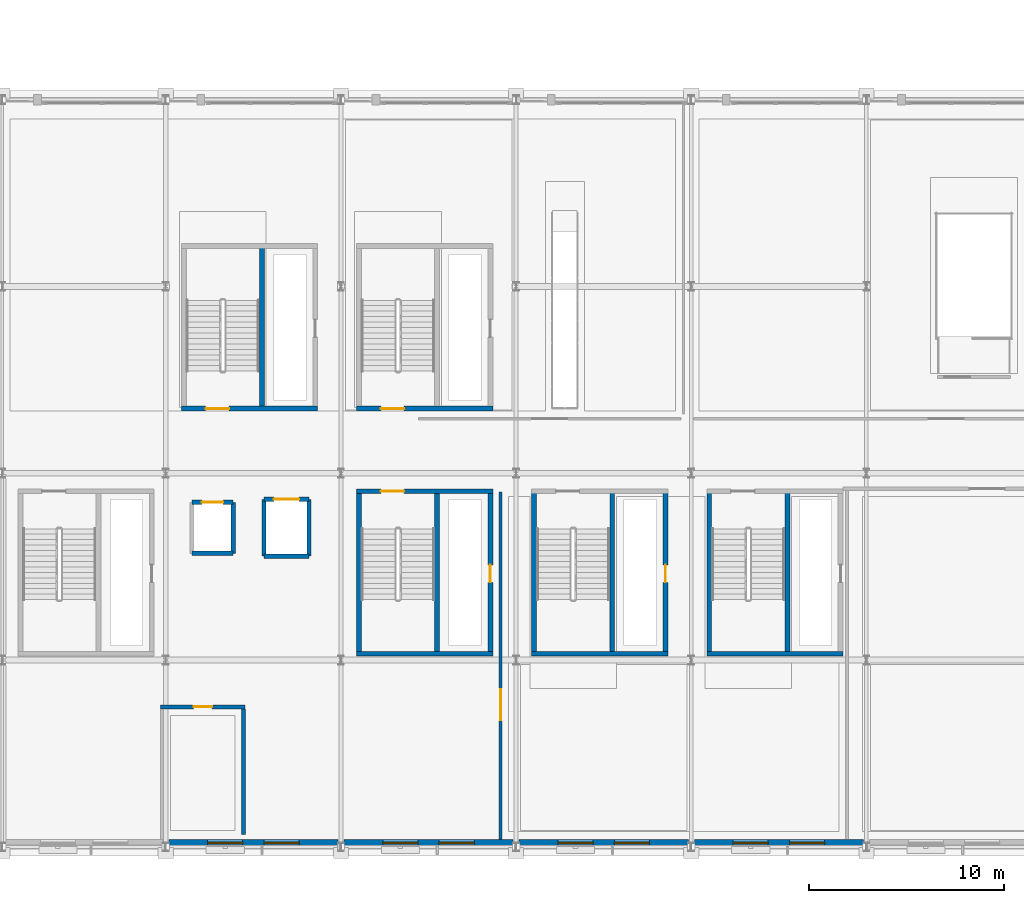
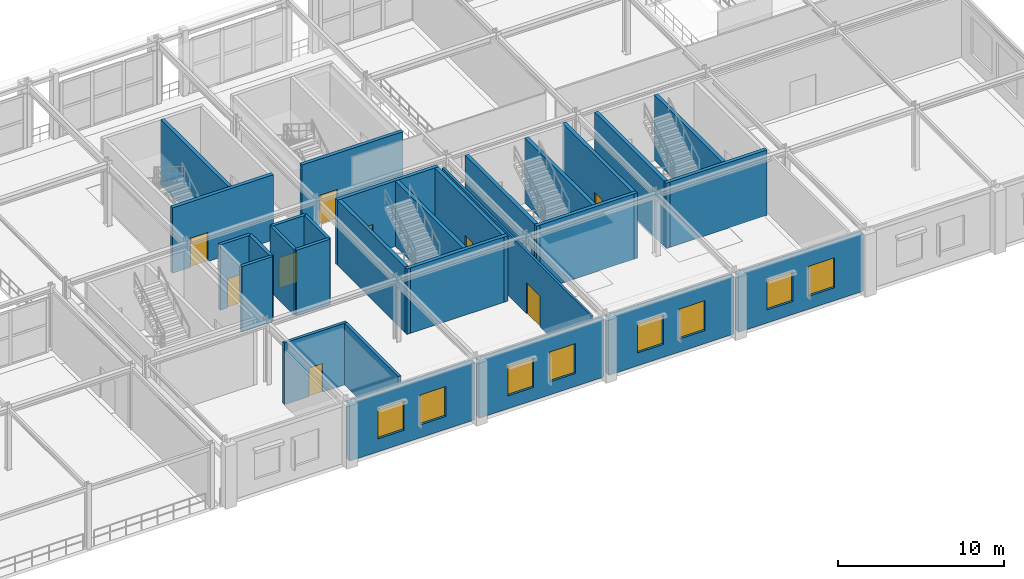
# One storey, part 78 of 125: 29 walls, 9 doors, 8 windows, 17 openings.
"""IFC4 building model written with IfcOpenShell, lengths in metres."""

from ifc_helpers import new_model, si_unit, direction, frame, frame_2d, origin, place, context, subcontext, project, spatial, rectangle, extrude, material, layer, layer_set, type_object, element, fill, save


model = new_model("IFC4")

# Units and contexts
model_context = context("Model", 3, precision=1e-05, world=origin(), true_north=direction((0.0, 1.0)))
body_context = subcontext(model_context, "Body", "Model", "MODEL_VIEW")
ifc_project = project(units=[si_unit("LENGTHUNIT", "METRE"), si_unit("AREAUNIT", "SQUARE_METRE"), si_unit("VOLUMEUNIT", "CUBIC_METRE"), si_unit("PLANEANGLEUNIT", "RADIAN"), si_unit("MASSUNIT", "GRAM", prefix="KILO")], contexts=[model_context])

# Site, building, storey
site_placement = place(None, origin())
site = spatial("IfcSite", under=ifc_project, at=site_placement, CompositionType="ELEMENT")
building_placement = place(site_placement, origin())
building = spatial("IfcBuilding", under=site, at=building_placement, Name="Myrtia Square Station", CompositionType="ELEMENT")
storey_placement = place(building_placement, frame((0.0, 0.0, 6.0)))
storey = spatial("IfcBuildingStorey", under=building, at=storey_placement, Name="L01", CompositionType="ELEMENT", Elevation=6.0)

# Wall
ifc_material_1 = material(Name="Concrete C35/45", Category="concrete")
ifc_layer_1 = layer(ifc_material_1, 0.25, Name="Concrete C35/45")
ifc_layer_set_1 = layer_set([ifc_layer_1], Name="Concrete C35/45")
wall_type_1 = type_object("IfcWallType", Name="WL-CORE-250", PredefinedType="SHEAR", material=ifc_layer_set_1)
wall_1_placement = place(storey_placement, frame((135.800048828125, 9.925048828125, 0.0), z_axis=(0.0, 0.0, 1.0), x_axis=(1.0, 0.0, 0.0)))
element("IfcWall", 1, at=wall_1_placement, inside=storey, type_object=wall_type_1, Name="Core K6 shear wall L01 S", PredefinedType="SHEAR", context=body_context, shape_type="SweptSolid", body=[
    extrude(rectangle(XDim=7.0, YDim=0.25, at=frame_2d((3.5, 0.0))), origin(), (0.0, 0.0, 1.0), 4.800048828125),
])

# Wall, opening, door
wall_2_placement = place(storey_placement, frame((135.800048828125, 18.27490234375, 0.0), z_axis=(0.0, 0.0, 1.0), x_axis=(1.0, 0.0, 0.0)))
wall_2 = element("IfcWall", 2, at=wall_2_placement, inside=storey, type_object=wall_type_1, Name="Core K6 shear wall L01 N", PredefinedType="SHEAR", context=body_context, shape_type="SweptSolid", body=[
    extrude(rectangle(XDim=7.0, YDim=0.25, at=frame_2d((3.5, 0.0))), origin(), (0.0, 0.0, 1.0), 4.800048828125),
])
opening_1_placement = place(wall_2_placement, frame((1.25, 0.0, 0.0)))
opening_1 = element("IfcOpeningElement", 3, at=opening_1_placement, cuts=wall_2, Name="Opening SD-065", PredefinedType="OPENING", context=body_context, shape_type="SweptSolid", body=[
    extrude(rectangle(XDim=1.199951171875, YDim=2.14990234375, at=frame_2d((0.60009765625, 1.074951171875))), frame((0.0, 0.139892578125, 0.0), z_axis=(0.0, -1.0, 0.0), x_axis=(1.0, 0.0, 0.0)), (0.0, 0.0, 1.0), 0.280029296875),
])
ifc_material_2 = material(Name="Dark bronze anodised aluminium", Category="aluminium")
door_type_1 = type_object("IfcDoorType", Name="DR-STAIR-1200x2150", OperationType="NOTDEFINED", PredefinedType="DOOR", material=ifc_material_2)
door_1_placement = place(opening_1_placement, frame((1.199951171875, 0.0, 0.0), z_axis=(0.0, 0.0, 1.0), x_axis=(-1.0, 0.0, 0.0)))
door_1 = element("IfcDoor", 4, at=door_1_placement, inside=storey, type_object=door_type_1, Name="Protected stair fire door K6 L01", OperationType="SINGLE_SWING_LEFT", OverallHeight=2.14990234375, OverallWidth=1.199951171875, PredefinedType="DOOR", context=body_context, shape_type="SweptSolid", body=[
    extrude(rectangle(XDim=1.199951171875, YDim=2.14990234375, at=frame_2d((0.60009765625, 1.074951171875))), frame((0.0, 0.02490234375, 0.0), z_axis=(0.0, -1.0, 0.0), x_axis=(1.0, 0.0, 0.0)), (0.0, 0.0, 1.0), 0.050048828125),
])
fill(opening_1, door_1)

# Wall
wall_3_placement = place(storey_placement, frame((135.925048828125, 9.800048828125, 0.0), z_axis=(0.0, 0.0, 1.0), x_axis=(0.0, 1.0, 0.0)))
element("IfcWall", 5, at=wall_3_placement, inside=storey, type_object=wall_type_1, Name="Core K6 shear wall L01 W", PredefinedType="SHEAR", context=body_context, shape_type="SweptSolid", body=[
    extrude(rectangle(XDim=8.599853515625, YDim=0.25, at=frame_2d((4.2998046875, 0.0))), origin(), (0.0, 0.0, 1.0), 4.800048828125),
])

# Wall, opening, door
wall_4_placement = place(storey_placement, frame((142.675048828125, 9.800048828125, 0.0), z_axis=(0.0, 0.0, 1.0), x_axis=(0.0, 1.0, 0.0)))
wall_4 = element("IfcWall", 6, at=wall_4_placement, inside=storey, type_object=wall_type_1, Name="Core K6 shear wall L01 E", PredefinedType="SHEAR", context=body_context, shape_type="SweptSolid", body=[
    extrude(rectangle(XDim=8.599853515625, YDim=0.25, at=frame_2d((4.2998046875, 0.0))), origin(), (0.0, 0.0, 1.0), 4.800048828125),
])
opening_2_placement = place(wall_4_placement, frame((3.800048828125, 0.0, 0.0)))
opening_2 = element("IfcOpeningElement", 7, at=opening_2_placement, cuts=wall_4, Name="Opening RD-066", PredefinedType="OPENING", context=body_context, shape_type="SweptSolid", body=[
    extrude(rectangle(XDim=0.89990234375, YDim=2.050048828125, at=frame_2d((0.449951171875, 1.02490234375))), frame((0.0, 0.139892578125, 0.0), z_axis=(0.0, -1.0, 0.0), x_axis=(1.0, 0.0, 0.0)), (0.0, 0.0, 1.0), 0.280029296875),
])
door_type_2 = type_object("IfcDoorType", Name="DR-RISER-900x2050", OperationType="NOTDEFINED", PredefinedType="DOOR", material=ifc_material_2)
door_2_placement = place(opening_2_placement, origin())
door_2 = element("IfcDoor", 8, at=door_2_placement, inside=storey, type_object=door_type_2, Name="Riser cupboard access door K6 L01", OperationType="SINGLE_SWING_RIGHT", OverallHeight=2.050048828125, OverallWidth=0.89990234375, PredefinedType="DOOR", context=body_context, shape_type="SweptSolid", body=[
    extrude(rectangle(XDim=0.89990234375, YDim=2.050048828125, at=frame_2d((0.449951171875, 1.02490234375))), frame((0.0, 0.02490234375, 0.0), z_axis=(0.0, -1.0, 0.0), x_axis=(1.0, 0.0, 0.0)), (0.0, 0.0, 1.0), 0.050048828125),
])
fill(opening_2, door_2)

# Wall
wall_5_placement = place(storey_placement, frame((139.93994140625, 10.0, 0.0), z_axis=(0.0, 0.0, 1.0), x_axis=(0.0, 1.0, 0.0)))
element("IfcWall", 9, at=wall_5_placement, inside=storey, type_object=wall_type_1, Name="Core K6 shear wall L01 D", PredefinedType="SHEAR", context=body_context, shape_type="SweptSolid", body=[
    extrude(rectangle(XDim=8.199951171875, YDim=0.25, at=frame_2d((4.10009765625, 0.0))), origin(), (0.0, 0.0, 1.0), 4.800048828125),
])

# Wall, opening, door
wall_6_placement = place(storey_placement, frame((135.800048828125, 22.52490234375, 0.0), z_axis=(0.0, 0.0, 1.0), x_axis=(1.0, 0.0, 0.0)))
wall_6 = element("IfcWall", 10, at=wall_6_placement, inside=storey, type_object=wall_type_1, Name="Core K9 shear wall L01 S", PredefinedType="SHEAR", context=body_context, shape_type="SweptSolid", body=[
    extrude(rectangle(XDim=7.0, YDim=0.25, at=frame_2d((3.5, 0.0))), origin(), (0.0, 0.0, 1.0), 4.800048828125),
])
opening_3_placement = place(wall_6_placement, frame((1.25, 0.0, 0.0)))
opening_3 = element("IfcOpeningElement", 11, at=opening_3_placement, cuts=wall_6, Name="Opening SD-075", PredefinedType="OPENING", context=body_context, shape_type="SweptSolid", body=[
    extrude(rectangle(XDim=1.199951171875, YDim=2.14990234375, at=frame_2d((0.60009765625, 1.074951171875))), frame((0.0, 0.139892578125, 0.0), z_axis=(0.0, -1.0, 0.0), x_axis=(1.0, 0.0, 0.0)), (0.0, 0.0, 1.0), 0.280029296875),
])
door_3_placement = place(opening_3_placement, origin())
door_3 = element("IfcDoor", 12, at=door_3_placement, inside=storey, type_object=door_type_1, Name="Protected stair fire door K9 L01", OperationType="SINGLE_SWING_LEFT", OverallHeight=2.14990234375, OverallWidth=1.199951171875, PredefinedType="DOOR", context=body_context, shape_type="SweptSolid", body=[
    extrude(rectangle(XDim=1.199951171875, YDim=2.14990234375, at=frame_2d((0.60009765625, 1.074951171875))), frame((0.0, 0.02490234375, 0.0), z_axis=(0.0, -1.0, 0.0), x_axis=(1.0, 0.0, 0.0)), (0.0, 0.0, 1.0), 0.050048828125),
])
fill(opening_3, door_3)

wall_7_placement = place(storey_placement, frame((126.800048828125, 22.52490234375, 0.0), z_axis=(0.0, 0.0, 1.0), x_axis=(1.0, 0.0, 0.0)))
wall_7 = element("IfcWall", 13, at=wall_7_placement, inside=storey, type_object=wall_type_1, Name="Core K10 shear wall L01 S", PredefinedType="SHEAR", context=body_context, shape_type="SweptSolid", body=[
    extrude(rectangle(XDim=7.0, YDim=0.25, at=frame_2d((3.5, 0.0))), origin(), (0.0, 0.0, 1.0), 4.800048828125),
])
opening_4_placement = place(wall_7_placement, frame((1.25, 0.0, 0.0)))
opening_4 = element("IfcOpeningElement", 14, at=opening_4_placement, cuts=wall_7, Name="Opening SD-085", PredefinedType="OPENING", context=body_context, shape_type="SweptSolid", body=[
    extrude(rectangle(XDim=1.199951171875, YDim=2.14990234375, at=frame_2d((0.60009765625, 1.074951171875))), frame((0.0, 0.139892578125, 0.0), z_axis=(0.0, -1.0, 0.0), x_axis=(1.0, 0.0, 0.0)), (0.0, 0.0, 1.0), 0.280029296875),
])
door_4_placement = place(opening_4_placement, origin())
door_4 = element("IfcDoor", 15, at=door_4_placement, inside=storey, type_object=door_type_1, Name="Protected stair fire door K10 L01", OperationType="SINGLE_SWING_LEFT", OverallHeight=2.14990234375, OverallWidth=1.199951171875, PredefinedType="DOOR", context=body_context, shape_type="SweptSolid", body=[
    extrude(rectangle(XDim=1.199951171875, YDim=2.14990234375, at=frame_2d((0.60009765625, 1.074951171875))), frame((0.0, 0.02490234375, 0.0), z_axis=(0.0, -1.0, 0.0), x_axis=(1.0, 0.0, 0.0)), (0.0, 0.0, 1.0), 0.050048828125),
])
fill(opening_4, door_4)

# Walls
wall_8_placement = place(storey_placement, frame((130.93994140625, 22.60009765625, 0.0), z_axis=(0.0, 0.0, 1.0), x_axis=(0.0, 1.0, 0.0)))
element("IfcWall", 16, at=wall_8_placement, inside=storey, type_object=wall_type_1, Name="Core K10 shear wall L01 D", PredefinedType="SHEAR", context=body_context, shape_type="SweptSolid", body=[
    extrude(rectangle(XDim=8.199951171875, YDim=0.25, at=frame_2d((4.10009765625, 0.0))), origin(), (0.0, 0.0, 1.0), 4.800048828125),
])
wall_9_placement = place(storey_placement, frame((144.800048828125, 9.925048828125, 0.0), z_axis=(0.0, 0.0, 1.0), x_axis=(1.0, 0.0, 0.0)))
element("IfcWall", 17, at=wall_9_placement, inside=storey, type_object=wall_type_1, Name="Core K11 shear wall L01 S", PredefinedType="SHEAR", context=body_context, shape_type="SweptSolid", body=[
    extrude(rectangle(XDim=7.0, YDim=0.25, at=frame_2d((3.5, 0.0))), origin(), (0.0, 0.0, 1.0), 4.800048828125),
])
wall_10_placement = place(storey_placement, frame((144.925048828125, 9.800048828125, 0.0), z_axis=(0.0, 0.0, 1.0), x_axis=(0.0, 1.0, 0.0)))
element("IfcWall", 18, at=wall_10_placement, inside=storey, type_object=wall_type_1, Name="Core K11 shear wall L01 W", PredefinedType="SHEAR", context=body_context, shape_type="SweptSolid", body=[
    extrude(rectangle(XDim=8.599853515625, YDim=0.25, at=frame_2d((4.2998046875, 0.0))), origin(), (0.0, 0.0, 1.0), 4.800048828125),
])

# Wall, opening, door
wall_11_placement = place(storey_placement, frame((151.675048828125, 9.800048828125, 0.0), z_axis=(0.0, 0.0, 1.0), x_axis=(0.0, 1.0, 0.0)))
wall_11 = element("IfcWall", 19, at=wall_11_placement, inside=storey, type_object=wall_type_1, Name="Core K11 shear wall L01 E", PredefinedType="SHEAR", context=body_context, shape_type="SweptSolid", body=[
    extrude(rectangle(XDim=8.599853515625, YDim=0.25, at=frame_2d((4.2998046875, 0.0))), origin(), (0.0, 0.0, 1.0), 4.800048828125),
])
opening_5_placement = place(wall_11_placement, frame((3.800048828125, 0.0, 0.0)))
opening_5 = element("IfcOpeningElement", 20, at=opening_5_placement, cuts=wall_11, Name="Opening RD-096", PredefinedType="OPENING", context=body_context, shape_type="SweptSolid", body=[
    extrude(rectangle(XDim=0.89990234375, YDim=2.050048828125, at=frame_2d((0.449951171875, 1.02490234375))), frame((0.0, 0.139892578125, 0.0), z_axis=(0.0, -1.0, 0.0), x_axis=(1.0, 0.0, 0.0)), (0.0, 0.0, 1.0), 0.280029296875),
])
door_5_placement = place(opening_5_placement, origin())
door_5 = element("IfcDoor", 21, at=door_5_placement, inside=storey, type_object=door_type_2, Name="Riser cupboard access door K11 L01", OperationType="SINGLE_SWING_RIGHT", OverallHeight=2.050048828125, OverallWidth=0.89990234375, PredefinedType="DOOR", context=body_context, shape_type="SweptSolid", body=[
    extrude(rectangle(XDim=0.89990234375, YDim=2.050048828125, at=frame_2d((0.449951171875, 1.02490234375))), frame((0.0, 0.02490234375, 0.0), z_axis=(0.0, -1.0, 0.0), x_axis=(1.0, 0.0, 0.0)), (0.0, 0.0, 1.0), 0.050048828125),
])
fill(opening_5, door_5)

# Walls
wall_12_placement = place(storey_placement, frame((148.93994140625, 10.0, 0.0), z_axis=(0.0, 0.0, 1.0), x_axis=(0.0, 1.0, 0.0)))
element("IfcWall", 22, at=wall_12_placement, inside=storey, type_object=wall_type_1, Name="Core K11 shear wall L01 D", PredefinedType="SHEAR", context=body_context, shape_type="SweptSolid", body=[
    extrude(rectangle(XDim=8.199951171875, YDim=0.25, at=frame_2d((4.10009765625, 0.0))), origin(), (0.0, 0.0, 1.0), 4.800048828125),
])
wall_13_placement = place(storey_placement, frame((153.800048828125, 9.925048828125, 0.0), z_axis=(0.0, 0.0, 1.0), x_axis=(1.0, 0.0, 0.0)))
element("IfcWall", 23, at=wall_13_placement, inside=storey, type_object=wall_type_1, Name="Core K14 shear wall L01 S", PredefinedType="SHEAR", context=body_context, shape_type="SweptSolid", body=[
    extrude(rectangle(XDim=7.0, YDim=0.25, at=frame_2d((3.5, 0.0))), origin(), (0.0, 0.0, 1.0), 4.800048828125),
])
wall_14_placement = place(storey_placement, frame((153.925048828125, 9.800048828125, 0.0), z_axis=(0.0, 0.0, 1.0), x_axis=(0.0, 1.0, 0.0)))
element("IfcWall", 24, at=wall_14_placement, inside=storey, type_object=wall_type_1, Name="Core K14 shear wall L01 W", PredefinedType="SHEAR", context=body_context, shape_type="SweptSolid", body=[
    extrude(rectangle(XDim=8.599853515625, YDim=0.25, at=frame_2d((4.2998046875, 0.0))), origin(), (0.0, 0.0, 1.0), 4.800048828125),
])
wall_15_placement = place(storey_placement, frame((157.93994140625, 10.0, 0.0), z_axis=(0.0, 0.0, 1.0), x_axis=(0.0, 1.0, 0.0)))
element("IfcWall", 25, at=wall_15_placement, inside=storey, type_object=wall_type_1, Name="Core K14 shear wall L01 D", PredefinedType="SHEAR", context=body_context, shape_type="SweptSolid", body=[
    extrude(rectangle(XDim=8.199951171875, YDim=0.25, at=frame_2d((4.10009765625, 0.0))), origin(), (0.0, 0.0, 1.0), 4.800048828125),
])

# Wall, openings, windows
ifc_material_3 = material(Name="Cream lime stucco on clay brick masonry", Category="masonry")
ifc_layer_2 = layer(ifc_material_3, 0.360107421875, Name="Cream lime stucco on clay brick masonry")
ifc_layer_set_2 = layer_set([ifc_layer_2], Name="Cream lime stucco on clay brick masonry")
wall_type_2 = type_object("IfcWallType", Name="WL-EXT-STUCCO-360", PredefinedType="SOLIDWALL", material=ifc_layer_set_2)
wall_16_placement = place(storey_placement, frame((126.155029296875, 0.199951171875, 0.0), z_axis=(0.0, 0.0, 1.0), x_axis=(1.0, 0.0, 0.0)))
wall_16 = element("IfcWall", 26, at=wall_16_placement, inside=storey, type_object=wall_type_2, Name="Exterior envelope wall EW-L01-0048", PredefinedType="SOLIDWALL", context=body_context, shape_type="SweptSolid", body=[
    extrude(rectangle(XDim=8.68994140625, YDim=0.360107421875, at=frame_2d((4.344970703125, 0.0))), origin(), (0.0, 0.0, 1.0), 4.22998046875),
])
opening_6_placement = place(wall_16_placement, frame((1.9970703125, 0.0, 0.949951171875)))
opening_6 = element("IfcOpeningElement", 27, at=opening_6_placement, cuts=wall_16, Name="Opening WN-037", PredefinedType="OPENING", context=body_context, shape_type="SweptSolid", body=[
    extrude(rectangle(XDim=1.800048828125, YDim=2.199951171875, at=frame_2d((0.89990234375, 1.10009765625))), frame((0.0, 0.195068359375, 0.0), z_axis=(0.0, -1.0, 0.0), x_axis=(1.0, 0.0, 0.0)), (0.0, 0.0, 1.0), 0.39013671875),
])
opening_7_placement = place(wall_16_placement, frame((4.89306640625, 0.0, 0.949951171875)))
opening_7 = element("IfcOpeningElement", 28, at=opening_7_placement, cuts=wall_16, Name="Opening WN-038", PredefinedType="OPENING", context=body_context, shape_type="SweptSolid", body=[
    extrude(rectangle(XDim=1.800048828125, YDim=2.199951171875, at=frame_2d((0.89990234375, 1.10009765625))), frame((0.0, 0.195068359375, 0.0), z_axis=(0.0, -1.0, 0.0), x_axis=(1.0, 0.0, 0.0)), (0.0, 0.0, 1.0), 0.39013671875),
])
ifc_material_4 = material(Name="Tinted low-E solar control glass", Category="glass")
window_type = type_object("IfcWindowType", Name="WN-PAIR-1800x2200", PartitioningType="SINGLE_PANEL", PredefinedType="WINDOW", material=ifc_material_4)
window_1_placement = place(opening_6_placement, origin())
window_1 = element("IfcWindow", 29, at=window_1_placement, inside=storey, type_object=window_type, Name="Window WN-037", OverallHeight=2.199951171875, OverallWidth=1.800048828125, PartitioningType="SINGLE_PANEL", PredefinedType="WINDOW", context=body_context, shape_type="SweptSolid", body=[
    extrude(rectangle(XDim=1.800048828125, YDim=2.199951171875, at=frame_2d((0.89990234375, 1.10009765625))), frame((0.0, 0.030029296875, 0.0), z_axis=(0.0, -1.0, 0.0), x_axis=(1.0, 0.0, 0.0)), (0.0, 0.0, 1.0), 0.06005859375),
])
fill(opening_6, window_1)
window_2_placement = place(opening_7_placement, origin())
window_2 = element("IfcWindow", 30, at=window_2_placement, inside=storey, type_object=window_type, Name="Window WN-038", OverallHeight=2.199951171875, OverallWidth=1.800048828125, PartitioningType="SINGLE_PANEL", PredefinedType="WINDOW", context=body_context, shape_type="SweptSolid", body=[
    extrude(rectangle(XDim=1.800048828125, YDim=2.199951171875, at=frame_2d((0.89990234375, 1.10009765625))), frame((0.0, 0.030029296875, 0.0), z_axis=(0.0, -1.0, 0.0), x_axis=(1.0, 0.0, 0.0)), (0.0, 0.0, 1.0), 0.06005859375),
])
fill(opening_7, window_2)

wall_17_placement = place(storey_placement, frame((135.155029296875, 0.199951171875, 0.0), z_axis=(0.0, 0.0, 1.0), x_axis=(1.0, 0.0, 0.0)))
wall_17 = element("IfcWall", 31, at=wall_17_placement, inside=storey, type_object=wall_type_2, Name="Exterior envelope wall EW-L01-0049", PredefinedType="SOLIDWALL", context=body_context, shape_type="SweptSolid", body=[
    extrude(rectangle(XDim=8.68994140625, YDim=0.360107421875, at=frame_2d((4.344970703125, 0.0))), origin(), (0.0, 0.0, 1.0), 4.22998046875),
])
opening_8_placement = place(wall_17_placement, frame((1.9970703125, 0.0, 0.949951171875)))
opening_8 = element("IfcOpeningElement", 32, at=opening_8_placement, cuts=wall_17, Name="Opening WN-039", PredefinedType="OPENING", context=body_context, shape_type="SweptSolid", body=[
    extrude(rectangle(XDim=1.800048828125, YDim=2.199951171875, at=frame_2d((0.89990234375, 1.10009765625))), frame((0.0, 0.195068359375, 0.0), z_axis=(0.0, -1.0, 0.0), x_axis=(1.0, 0.0, 0.0)), (0.0, 0.0, 1.0), 0.39013671875),
])
opening_9_placement = place(wall_17_placement, frame((4.89306640625, 0.0, 0.949951171875)))
opening_9 = element("IfcOpeningElement", 33, at=opening_9_placement, cuts=wall_17, Name="Opening WN-040", PredefinedType="OPENING", context=body_context, shape_type="SweptSolid", body=[
    extrude(rectangle(XDim=1.800048828125, YDim=2.199951171875, at=frame_2d((0.89990234375, 1.10009765625))), frame((0.0, 0.195068359375, 0.0), z_axis=(0.0, -1.0, 0.0), x_axis=(1.0, 0.0, 0.0)), (0.0, 0.0, 1.0), 0.39013671875),
])
window_3_placement = place(opening_8_placement, origin())
window_3 = element("IfcWindow", 34, at=window_3_placement, inside=storey, type_object=window_type, Name="Window WN-039", OverallHeight=2.199951171875, OverallWidth=1.800048828125, PartitioningType="SINGLE_PANEL", PredefinedType="WINDOW", context=body_context, shape_type="SweptSolid", body=[
    extrude(rectangle(XDim=1.800048828125, YDim=2.199951171875, at=frame_2d((0.89990234375, 1.10009765625))), frame((0.0, 0.030029296875, 0.0), z_axis=(0.0, -1.0, 0.0), x_axis=(1.0, 0.0, 0.0)), (0.0, 0.0, 1.0), 0.06005859375),
])
fill(opening_8, window_3)
window_4_placement = place(opening_9_placement, origin())
window_4 = element("IfcWindow", 35, at=window_4_placement, inside=storey, type_object=window_type, Name="Window WN-040", OverallHeight=2.199951171875, OverallWidth=1.800048828125, PartitioningType="SINGLE_PANEL", PredefinedType="WINDOW", context=body_context, shape_type="SweptSolid", body=[
    extrude(rectangle(XDim=1.800048828125, YDim=2.199951171875, at=frame_2d((0.89990234375, 1.10009765625))), frame((0.0, 0.030029296875, 0.0), z_axis=(0.0, -1.0, 0.0), x_axis=(1.0, 0.0, 0.0)), (0.0, 0.0, 1.0), 0.06005859375),
])
fill(opening_9, window_4)

wall_18_placement = place(storey_placement, frame((144.155029296875, 0.199951171875, 0.0), z_axis=(0.0, 0.0, 1.0), x_axis=(1.0, 0.0, 0.0)))
wall_18 = element("IfcWall", 36, at=wall_18_placement, inside=storey, type_object=wall_type_2, Name="Exterior envelope wall EW-L01-0050", PredefinedType="SOLIDWALL", context=body_context, shape_type="SweptSolid", body=[
    extrude(rectangle(XDim=8.68994140625, YDim=0.360107421875, at=frame_2d((4.344970703125, 0.0))), origin(), (0.0, 0.0, 1.0), 4.22998046875),
])
opening_10_placement = place(wall_18_placement, frame((1.9970703125, 0.0, 0.949951171875)))
opening_10 = element("IfcOpeningElement", 37, at=opening_10_placement, cuts=wall_18, Name="Opening WN-041", PredefinedType="OPENING", context=body_context, shape_type="SweptSolid", body=[
    extrude(rectangle(XDim=1.800048828125, YDim=2.199951171875, at=frame_2d((0.89990234375, 1.10009765625))), frame((0.0, 0.195068359375, 0.0), z_axis=(0.0, -1.0, 0.0), x_axis=(1.0, 0.0, 0.0)), (0.0, 0.0, 1.0), 0.39013671875),
])
opening_11_placement = place(wall_18_placement, frame((4.89306640625, 0.0, 0.949951171875)))
opening_11 = element("IfcOpeningElement", 38, at=opening_11_placement, cuts=wall_18, Name="Opening WN-042", PredefinedType="OPENING", context=body_context, shape_type="SweptSolid", body=[
    extrude(rectangle(XDim=1.800048828125, YDim=2.199951171875, at=frame_2d((0.89990234375, 1.10009765625))), frame((0.0, 0.195068359375, 0.0), z_axis=(0.0, -1.0, 0.0), x_axis=(1.0, 0.0, 0.0)), (0.0, 0.0, 1.0), 0.39013671875),
])
window_5_placement = place(opening_10_placement, origin())
window_5 = element("IfcWindow", 39, at=window_5_placement, inside=storey, type_object=window_type, Name="Window WN-041", OverallHeight=2.199951171875, OverallWidth=1.800048828125, PartitioningType="SINGLE_PANEL", PredefinedType="WINDOW", context=body_context, shape_type="SweptSolid", body=[
    extrude(rectangle(XDim=1.800048828125, YDim=2.199951171875, at=frame_2d((0.89990234375, 1.10009765625))), frame((0.0, 0.030029296875, 0.0), z_axis=(0.0, -1.0, 0.0), x_axis=(1.0, 0.0, 0.0)), (0.0, 0.0, 1.0), 0.06005859375),
])
fill(opening_10, window_5)
window_6_placement = place(opening_11_placement, origin())
window_6 = element("IfcWindow", 40, at=window_6_placement, inside=storey, type_object=window_type, Name="Window WN-042", OverallHeight=2.199951171875, OverallWidth=1.800048828125, PartitioningType="SINGLE_PANEL", PredefinedType="WINDOW", context=body_context, shape_type="SweptSolid", body=[
    extrude(rectangle(XDim=1.800048828125, YDim=2.199951171875, at=frame_2d((0.89990234375, 1.10009765625))), frame((0.0, 0.030029296875, 0.0), z_axis=(0.0, -1.0, 0.0), x_axis=(1.0, 0.0, 0.0)), (0.0, 0.0, 1.0), 0.06005859375),
])
fill(opening_11, window_6)

wall_19_placement = place(storey_placement, frame((153.155029296875, 0.199951171875, 0.0), z_axis=(0.0, 0.0, 1.0), x_axis=(1.0, 0.0, 0.0)))
wall_19 = element("IfcWall", 41, at=wall_19_placement, inside=storey, type_object=wall_type_2, Name="Exterior envelope wall EW-L01-0051", PredefinedType="SOLIDWALL", context=body_context, shape_type="SweptSolid", body=[
    extrude(rectangle(XDim=8.68994140625, YDim=0.360107421875, at=frame_2d((4.344970703125, 0.0))), origin(), (0.0, 0.0, 1.0), 4.22998046875),
])
opening_12_placement = place(wall_19_placement, frame((1.9970703125, 0.0, 0.949951171875)))
opening_12 = element("IfcOpeningElement", 42, at=opening_12_placement, cuts=wall_19, Name="Opening WN-043", PredefinedType="OPENING", context=body_context, shape_type="SweptSolid", body=[
    extrude(rectangle(XDim=1.800048828125, YDim=2.199951171875, at=frame_2d((0.89990234375, 1.10009765625))), frame((0.0, 0.195068359375, 0.0), z_axis=(0.0, -1.0, 0.0), x_axis=(1.0, 0.0, 0.0)), (0.0, 0.0, 1.0), 0.39013671875),
])
opening_13_placement = place(wall_19_placement, frame((4.89306640625, 0.0, 0.949951171875)))
opening_13 = element("IfcOpeningElement", 43, at=opening_13_placement, cuts=wall_19, Name="Opening WN-044", PredefinedType="OPENING", context=body_context, shape_type="SweptSolid", body=[
    extrude(rectangle(XDim=1.800048828125, YDim=2.199951171875, at=frame_2d((0.89990234375, 1.10009765625))), frame((0.0, 0.195068359375, 0.0), z_axis=(0.0, -1.0, 0.0), x_axis=(1.0, 0.0, 0.0)), (0.0, 0.0, 1.0), 0.39013671875),
])
window_7_placement = place(opening_12_placement, origin())
window_7 = element("IfcWindow", 44, at=window_7_placement, inside=storey, type_object=window_type, Name="Window WN-043", OverallHeight=2.199951171875, OverallWidth=1.800048828125, PartitioningType="SINGLE_PANEL", PredefinedType="WINDOW", context=body_context, shape_type="SweptSolid", body=[
    extrude(rectangle(XDim=1.800048828125, YDim=2.199951171875, at=frame_2d((0.89990234375, 1.10009765625))), frame((0.0, 0.030029296875, 0.0), z_axis=(0.0, -1.0, 0.0), x_axis=(1.0, 0.0, 0.0)), (0.0, 0.0, 1.0), 0.06005859375),
])
fill(opening_12, window_7)
window_8_placement = place(opening_13_placement, origin())
window_8 = element("IfcWindow", 45, at=window_8_placement, inside=storey, type_object=window_type, Name="Window WN-044", OverallHeight=2.199951171875, OverallWidth=1.800048828125, PartitioningType="SINGLE_PANEL", PredefinedType="WINDOW", context=body_context, shape_type="SweptSolid", body=[
    extrude(rectangle(XDim=1.800048828125, YDim=2.199951171875, at=frame_2d((0.89990234375, 1.10009765625))), frame((0.0, 0.030029296875, 0.0), z_axis=(0.0, -1.0, 0.0), x_axis=(1.0, 0.0, 0.0)), (0.0, 0.0, 1.0), 0.06005859375),
])
fill(opening_13, window_8)

# Wall
ifc_layer_3 = layer(ifc_material_1, 0.219970703125, Name="Concrete C35/45")
ifc_layer_set_3 = layer_set([ifc_layer_3], Name="Concrete C35/45")
wall_type_3 = type_object("IfcWallType", Name="WL-LIFT-220", PredefinedType="SHEAR", material=ifc_layer_set_3)
wall_20_placement = place(storey_placement, frame((127.340087890625, 15.090087890625, 0.0), z_axis=(0.0, 0.0, 1.0), x_axis=(1.0, 0.0, 0.0)))
element("IfcWall", 46, at=wall_20_placement, inside=storey, type_object=wall_type_3, Name="Lift shaft wall PL-07 L01 -Y", PredefinedType="SHEAR", context=body_context, shape_type="SweptSolid", body=[
    extrude(rectangle(XDim=2.119873046875, YDim=0.219970703125, at=frame_2d((1.06005859375, 0.0))), origin(), (0.0, 0.0, 1.0), 4.800048828125),
])

# Wall, opening, door
wall_21_placement = place(storey_placement, frame((127.340087890625, 17.7099609375, 0.0), z_axis=(0.0, 0.0, 1.0), x_axis=(1.0, 0.0, 0.0)))
wall_21 = element("IfcWall", 47, at=wall_21_placement, inside=storey, type_object=wall_type_3, Name="Lift shaft wall PL-07 L01 +Y", PredefinedType="SHEAR", context=body_context, shape_type="SweptSolid", body=[
    extrude(rectangle(XDim=2.119873046875, YDim=0.219970703125, at=frame_2d((1.06005859375, 0.0))), origin(), (0.0, 0.0, 1.0), 4.800048828125),
])
opening_14_placement = place(wall_21_placement, frame((0.510009765625, 0.0, 0.0)))
opening_14 = element("IfcOpeningElement", 48, at=opening_14_placement, cuts=wall_21, Name="Opening LD-PL-07", PredefinedType="OPENING", context=body_context, shape_type="SweptSolid", body=[
    extrude(rectangle(XDim=1.10009765625, YDim=2.14990234375, at=frame_2d((0.550048828125, 1.074951171875))), frame((0.0, 0.125, 0.0), z_axis=(0.0, -1.0, 0.0), x_axis=(1.0, 0.0, 0.0)), (0.0, 0.0, 1.0), 0.25),
])
door_type_3 = type_object("IfcDoorType", Name="DR-LIFT-1100x2150", OperationType="NOTDEFINED", PredefinedType="DOOR", material=ifc_material_2)
door_6_placement = place(opening_14_placement, origin())
door_6 = element("IfcDoor", 49, at=door_6_placement, inside=storey, type_object=door_type_3, Name="Lift landing door PL-07 L01", OperationType="SLIDING_TO_LEFT", OverallHeight=2.14990234375, OverallWidth=1.10009765625, PredefinedType="DOOR", context=body_context, shape_type="SweptSolid", body=[
    extrude(rectangle(XDim=1.10009765625, YDim=2.14990234375, at=frame_2d((0.550048828125, 1.074951171875))), frame((0.0, 0.02490234375, 0.0), z_axis=(0.0, -1.0, 0.0), x_axis=(1.0, 0.0, 0.0)), (0.0, 0.0, 1.0), 0.050048828125),
])
fill(opening_14, door_6)

# Walls
wall_22_placement = place(storey_placement, frame((129.4599609375, 15.090087890625, 0.0), z_axis=(0.0, 0.0, 1.0), x_axis=(0.0, 1.0, 0.0)))
element("IfcWall", 50, at=wall_22_placement, inside=storey, type_object=wall_type_3, Name="Lift shaft wall PL-07 L01 +X", PredefinedType="SHEAR", context=body_context, shape_type="SweptSolid", body=[
    extrude(rectangle(XDim=2.619873046875, YDim=0.219970703125, at=frame_2d((1.31005859375, 0.0))), origin(), (0.0, 0.0, 1.0), 4.800048828125),
])
wall_23_placement = place(storey_placement, frame((131.0400390625, 14.93994140625, 0.0), z_axis=(0.0, 0.0, 1.0), x_axis=(1.0, 0.0, 0.0)))
element("IfcWall", 51, at=wall_23_placement, inside=storey, type_object=wall_type_3, Name="Lift shaft wall GL-02 L01 -Y", PredefinedType="SHEAR", context=body_context, shape_type="SweptSolid", body=[
    extrude(rectangle(XDim=2.320068359375, YDim=0.219970703125, at=frame_2d((1.16015625, 0.0))), origin(), (0.0, 0.0, 1.0), 4.800048828125),
])

# Wall, opening, door
wall_24_placement = place(storey_placement, frame((131.0400390625, 17.860107421875, 0.0), z_axis=(0.0, 0.0, 1.0), x_axis=(1.0, 0.0, 0.0)))
wall_24 = element("IfcWall", 52, at=wall_24_placement, inside=storey, type_object=wall_type_3, Name="Lift shaft wall GL-02 L01 +Y", PredefinedType="SHEAR", context=body_context, shape_type="SweptSolid", body=[
    extrude(rectangle(XDim=2.320068359375, YDim=0.219970703125, at=frame_2d((1.16015625, 0.0))), origin(), (0.0, 0.0, 1.0), 4.800048828125),
])
opening_15_placement = place(wall_24_placement, frame((0.510009765625, 0.0, 0.0)))
opening_15 = element("IfcOpeningElement", 53, at=opening_15_placement, cuts=wall_24, Name="Opening LD-GL-02", PredefinedType="OPENING", context=body_context, shape_type="SweptSolid", body=[
    extrude(rectangle(XDim=1.300048828125, YDim=2.25, at=frame_2d((0.64990234375, 1.125))), frame((0.0, 0.125, 0.0), z_axis=(0.0, -1.0, 0.0), x_axis=(1.0, 0.0, 0.0)), (0.0, 0.0, 1.0), 0.25),
])
door_type_4 = type_object("IfcDoorType", Name="DR-LIFT-1300x2250", OperationType="NOTDEFINED", PredefinedType="DOOR", material=ifc_material_2)
door_7_placement = place(opening_15_placement, origin())
door_7 = element("IfcDoor", 54, at=door_7_placement, inside=storey, type_object=door_type_4, Name="Lift landing door GL-02 L01", OperationType="SLIDING_TO_RIGHT", OverallHeight=2.25, OverallWidth=1.300048828125, PredefinedType="DOOR", context=body_context, shape_type="SweptSolid", body=[
    extrude(rectangle(XDim=1.300048828125, YDim=2.25, at=frame_2d((0.64990234375, 1.125))), frame((0.0, 0.02490234375, 0.0), z_axis=(0.0, -1.0, 0.0), x_axis=(1.0, 0.0, 0.0)), (0.0, 0.0, 1.0), 0.050048828125),
])
fill(opening_15, door_7)

# Walls
for number, where, z_axis, x_axis, name in (
    (55, (131.0400390625, 14.93994140625, 0.0), (0.0, 0.0, 1.0), (0.0, 1.0, 0.0), "Lift shaft wall GL-02 L01 -X"),
    (56, (133.360107421875, 14.93994140625, 0.0), (0.0, 0.0, 1.0), (0.0, 1.0, 0.0), "Lift shaft wall GL-02 L01 +X"),
):
    element("IfcWall", number, at=place(storey_placement, frame(where, z_axis=z_axis, x_axis=x_axis)), inside=storey, type_object=wall_type_3, Name=name, PredefinedType="SHEAR", context=body_context, shape_type="SweptSolid", body=[
        extrude(rectangle(XDim=2.920166015625, YDim=0.219970703125, at=frame_2d((1.4599609375, 0.0))), origin(), (0.0, 0.0, 1.0), 4.800048828125),
    ])

# Wall, opening, door
ifc_material_5 = material(Name="Gypsum plasterboard")
ifc_layer_4 = layer(ifc_material_5, 0.14990234375, Name="Gypsum plasterboard")
ifc_layer_set_4 = layer_set([ifc_layer_4], Name="Gypsum plasterboard")
wall_type_4 = type_object("IfcWallType", Name="WL-PART-150", PredefinedType="PARTITIONING", material=ifc_layer_set_4)
wall_25_placement = place(storey_placement, frame((143.199951171875, 0.385009765625, 0.0), z_axis=(0.0, 0.0, 1.0), x_axis=(0.0, 1.0, 0.0)))
wall_25 = element("IfcWall", 57, at=wall_25_placement, inside=storey, type_object=wall_type_4, Name="Interior partition wall L01-12", PredefinedType="PARTITIONING", context=body_context, shape_type="SweptSolid", body=[
    extrude(rectangle(XDim=17.864990234375, YDim=0.14990234375, at=frame_2d((8.9326171875, 0.0))), origin(), (0.0, 0.0, 1.0), 4.530029296875),
])
opening_16_placement = place(wall_25_placement, frame((6.114990234375, 0.0, 0.0)))
opening_16 = element("IfcOpeningElement", 58, at=opening_16_placement, cuts=wall_25, Name="Opening D-244", PredefinedType="OPENING", context=body_context, shape_type="SweptSolid", body=[
    extrude(rectangle(XDim=1.60009765625, YDim=2.25, at=frame_2d((0.800048828125, 1.125))), frame((0.0, 0.08984375, 0.0), z_axis=(0.0, -1.0, 0.0), x_axis=(1.0, 0.0, 0.0)), (0.0, 0.0, 1.0), 0.179931640625),
])
door_type_5 = type_object("IfcDoorType", Name="DR-CORR-1600x2250", OperationType="NOTDEFINED", PredefinedType="DOOR", material=ifc_material_2)
door_8_placement = place(opening_16_placement, origin())
door_8 = element("IfcDoor", 59, at=door_8_placement, inside=storey, type_object=door_type_5, Name="Family Passenger Waiting Lounge door D-244", OperationType="DOUBLE_DOOR_SINGLE_SWING", OverallHeight=2.25, OverallWidth=1.60009765625, PredefinedType="DOOR", context=body_context, shape_type="SweptSolid", body=[
    extrude(rectangle(XDim=1.60009765625, YDim=2.25, at=frame_2d((0.800048828125, 1.125))), frame((0.0, 0.02490234375, 0.0), z_axis=(0.0, -1.0, 0.0), x_axis=(1.0, 0.0, 0.0)), (0.0, 0.0, 1.0), 0.050048828125),
])
fill(opening_16, door_8)

ifc_layer_5 = layer(ifc_material_3, 0.199951171875, Name="Cream lime stucco on clay brick masonry")
ifc_layer_set_5 = layer_set([ifc_layer_5], Name="Cream lime stucco on clay brick masonry")
wall_type_5 = type_object("IfcWallType", Name="WL-PART-200", PredefinedType="PARTITIONING", material=ifc_layer_set_5)
wall_26_placement = place(storey_placement, frame((125.72998046875, 7.199951171875, 0.0), z_axis=(0.0, 0.0, 1.0), x_axis=(1.0, 0.0, 0.0)))
wall_26 = element("IfcWall", 60, at=wall_26_placement, inside=storey, type_object=wall_type_5, Name="Interior partition wall L01-14", PredefinedType="PARTITIONING", context=body_context, shape_type="SweptSolid", body=[
    extrude(rectangle(XDim=4.35009765625, YDim=0.199951171875, at=frame_2d((2.175048828125, 0.0))), origin(), (0.0, 0.0, 1.0), 4.530029296875),
])
opening_17_placement = place(wall_26_placement, frame((1.695068359375, 0.0, 0.0)))
opening_17 = element("IfcOpeningElement", 61, at=opening_17_placement, cuts=wall_26, Name="Opening D-246", PredefinedType="OPENING", context=body_context, shape_type="SweptSolid", body=[
    extrude(rectangle(XDim=0.949951171875, YDim=2.10009765625, at=frame_2d((0.47509765625, 1.050048828125))), frame((0.0, 0.114990234375, 0.0), z_axis=(0.0, -1.0, 0.0), x_axis=(1.0, 0.0, 0.0)), (0.0, 0.0, 1.0), 0.22998046875),
])
ifc_material_6 = material(Name="Acoustic European oak timber", Category="wood")
door_type_6 = type_object("IfcDoorType", Name="DR-WC-950x2100", OperationType="NOTDEFINED", PredefinedType="DOOR", material=ifc_material_6)
door_9_placement = place(opening_17_placement, origin())
door_9 = element("IfcDoor", 62, at=door_9_placement, inside=storey, type_object=door_type_6, Name="Food Hall Public Sanitary and Accessible WC door D-246", OperationType="SINGLE_SWING_RIGHT", OverallHeight=2.10009765625, OverallWidth=0.949951171875, PredefinedType="DOOR", context=body_context, shape_type="SweptSolid", body=[
    extrude(rectangle(XDim=0.949951171875, YDim=2.10009765625, at=frame_2d((0.47509765625, 1.050048828125))), frame((0.0, 0.02490234375, 0.0), z_axis=(0.0, -1.0, 0.0), x_axis=(1.0, 0.0, 0.0)), (0.0, 0.0, 1.0), 0.050048828125),
])
fill(opening_17, door_9)

# Wall
wall_27_placement = place(storey_placement, frame((130.0, 0.64990234375, 0.0), z_axis=(0.0, 0.0, 1.0), x_axis=(0.0, 1.0, 0.0)))
element("IfcWall", 63, at=wall_27_placement, inside=storey, type_object=wall_type_5, Name="Room divider partition L01-14", PredefinedType="PARTITIONING", context=body_context, shape_type="SweptSolid", body=[
    extrude(rectangle(XDim=6.445068359375, YDim=0.199951171875, at=frame_2d((3.22265625, 0.0))), origin(), (0.0, 0.0, 1.0), 4.530029296875),
])

save(model, "model.ifc")
